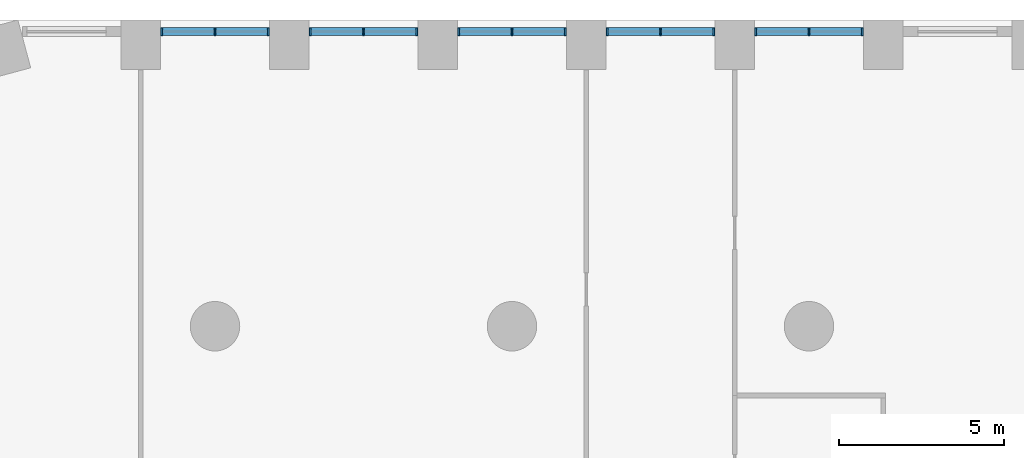
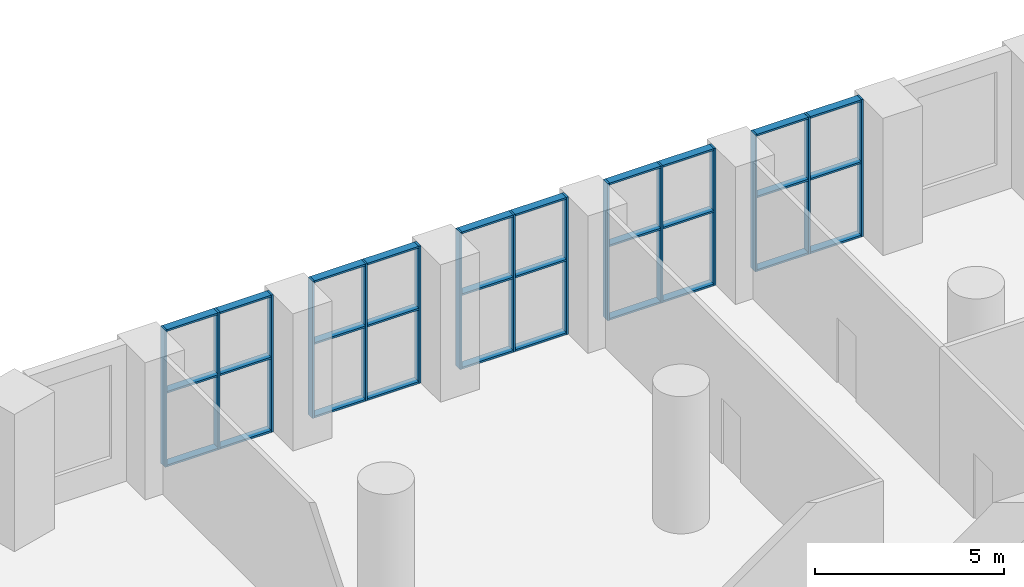
# One storey, part 3 of 13: 45 members, 5 elements without a shape of their own.
"""IFC4 building model written with IfcOpenShell, lengths in metres."""

from ifc_helpers import new_model, si_unit, direction, frame, origin, origin_2d, place, context, subcontext, project, spatial, rectangle, extrude, material, layer, layer_set, material_profile, profile_set, type_object, element, aggregate, save


model = new_model("IFC4")

# Units and contexts
model_context = context("Model", 3, precision=1e-05, world=origin(), true_north=direction((0.0, 1.0)))
body_context = subcontext(model_context, "Body", "Model", "MODEL_VIEW")
ifc_project = project(units=[si_unit("LENGTHUNIT", "METRE"), si_unit("AREAUNIT", "SQUARE_METRE"), si_unit("VOLUMEUNIT", "CUBIC_METRE"), si_unit("PLANEANGLEUNIT", "RADIAN"), si_unit("MASSUNIT", "GRAM", prefix="KILO")], contexts=[model_context])

# Site, building, storey
site_placement = place(None, origin())
site = spatial("IfcSite", under=ifc_project, at=site_placement, CompositionType="ELEMENT")
building_placement = place(site_placement, origin())
building = spatial("IfcBuilding", under=site, at=building_placement, Name="Dhurran Vertical Campus", CompositionType="ELEMENT")
storey_placement = place(building_placement, frame((0.0, 0.0, 25.199951171875)))
storey = spatial("IfcBuildingStorey", under=building, at=storey_placement, Name="L05", CompositionType="ELEMENT", Elevation=25.199951171875)

# Curtain wall, members
ifc_material_1 = material(Name="Aluminium frame with solar-control glass", Category="aluminium")
ifc_layer = layer(ifc_material_1, 0.25)
ifc_layer_set = layer_set([ifc_layer], Name="Aluminium frame with solar-control glass")
curtain_wall_type = type_object("IfcCurtainWallType", Name="Library atrium glazing system", PredefinedType="NOTDEFINED", material=ifc_layer_set)
curtain_wall_1_placement = place(storey_placement, origin())
curtain_wall_1 = element("IfcCurtainWall", 1, at=curtain_wall_1_placement, inside=storey, type_object=curtain_wall_type, Name="CW2 L05.29", PredefinedType="NOTDEFINED")
ifc_material_2 = material(Name="Aluminium mullion", Category="aluminium")
ifc_material_profile_1 = material_profile(ifc_material_2, rectangle(XDim=0.239990234375, YDim=0.06005859375, at=origin_2d()), Name="Library atrium glazing system mullion")
ifc_profile_set_1 = profile_set([ifc_material_profile_1], Name="Aluminium mullion")
member_type_1 = type_object("IfcMemberType", Name="Library atrium glazing system mullion", PredefinedType="MULLION", material=ifc_profile_set_1)
member_1_placement = place(storey_placement, frame((6.119384765625, 31.4296875, 0.0), z_axis=(0.0, 0.0, 1.0), x_axis=(0.0, -1.0, 0.0)))
member_1 = element("IfcMember", 2, at=member_1_placement, type_object=member_type_1, Name="CW2 mullion 1", PredefinedType="MULLION", context=body_context, shape_type="SweptSolid", body=[
    extrude(rectangle(XDim=0.239990234375, YDim=0.06005859375, at=origin_2d()), origin(), (0.0, 0.0, 1.0), 4.425048828125),
])
member_2_placement = place(storey_placement, frame((4.5, 31.4296875, 0.0), z_axis=(0.0, 0.0, 1.0), x_axis=(0.0, -1.0, 0.0)))
member_2 = element("IfcMember", 3, at=member_2_placement, type_object=member_type_1, Name="CW2 mullion 2", PredefinedType="MULLION", context=body_context, shape_type="SweptSolid", body=[
    extrude(rectangle(XDim=0.239990234375, YDim=0.06005859375, at=origin_2d()), origin(), (0.0, 0.0, 1.0), 4.425048828125),
])
member_3_placement = place(storey_placement, frame((2.880615234375, 31.4296875, 0.0), z_axis=(0.0, 0.0, 1.0), x_axis=(0.0, -1.0, 0.0)))
member_3 = element("IfcMember", 4, at=member_3_placement, type_object=member_type_1, Name="CW2 mullion 3", PredefinedType="MULLION", context=body_context, shape_type="SweptSolid", body=[
    extrude(rectangle(XDim=0.239990234375, YDim=0.06005859375, at=origin_2d()), origin(), (0.0, 0.0, 1.0), 4.425048828125),
])

curtain_wall_2_placement = place(storey_placement, origin())
curtain_wall_2 = element("IfcCurtainWall", 5, at=curtain_wall_2_placement, inside=storey, type_object=curtain_wall_type, Name="CW2 L05.30", PredefinedType="NOTDEFINED")
member_4_placement = place(storey_placement, frame((1.619384765625, 31.4296875, 0.0), z_axis=(0.0, 0.0, 1.0), x_axis=(0.0, -1.0, 0.0)))
member_4 = element("IfcMember", 6, at=member_4_placement, type_object=member_type_1, Name="CW2 mullion 1", PredefinedType="MULLION", context=body_context, shape_type="SweptSolid", body=[
    extrude(rectangle(XDim=0.239990234375, YDim=0.06005859375, at=origin_2d()), origin(), (0.0, 0.0, 1.0), 4.425048828125),
])
member_5_placement = place(storey_placement, frame((0.0, 31.4296875, 0.0), z_axis=(0.0, 0.0, 1.0), x_axis=(0.0, -1.0, 0.0)))
member_5 = element("IfcMember", 7, at=member_5_placement, type_object=member_type_1, Name="CW2 mullion 2", PredefinedType="MULLION", context=body_context, shape_type="SweptSolid", body=[
    extrude(rectangle(XDim=0.239990234375, YDim=0.06005859375, at=origin_2d()), origin(), (0.0, 0.0, 1.0), 4.425048828125),
])
member_6_placement = place(storey_placement, frame((-1.619384765625, 31.4296875, 0.0), z_axis=(0.0, 0.0, 1.0), x_axis=(0.0, -1.0, 0.0)))
member_6 = element("IfcMember", 8, at=member_6_placement, type_object=member_type_1, Name="CW2 mullion 3", PredefinedType="MULLION", context=body_context, shape_type="SweptSolid", body=[
    extrude(rectangle(XDim=0.239990234375, YDim=0.06005859375, at=origin_2d()), origin(), (0.0, 0.0, 1.0), 4.425048828125),
])

curtain_wall_3_placement = place(storey_placement, origin())
curtain_wall_3 = element("IfcCurtainWall", 9, at=curtain_wall_3_placement, inside=storey, type_object=curtain_wall_type, Name="CW2 L05.31", PredefinedType="NOTDEFINED")
member_7_placement = place(storey_placement, frame((-2.880615234375, 31.4296875, 0.0), z_axis=(0.0, 0.0, 1.0), x_axis=(0.0, -1.0, 0.0)))
member_7 = element("IfcMember", 10, at=member_7_placement, type_object=member_type_1, Name="CW2 mullion 1", PredefinedType="MULLION", context=body_context, shape_type="SweptSolid", body=[
    extrude(rectangle(XDim=0.239990234375, YDim=0.06005859375, at=origin_2d()), origin(), (0.0, 0.0, 1.0), 4.425048828125),
])
member_8_placement = place(storey_placement, frame((-4.5, 31.4296875, 0.0), z_axis=(0.0, 0.0, 1.0), x_axis=(0.0, -1.0, 0.0)))
member_8 = element("IfcMember", 11, at=member_8_placement, type_object=member_type_1, Name="CW2 mullion 2", PredefinedType="MULLION", context=body_context, shape_type="SweptSolid", body=[
    extrude(rectangle(XDim=0.239990234375, YDim=0.06005859375, at=origin_2d()), origin(), (0.0, 0.0, 1.0), 4.425048828125),
])
member_9_placement = place(storey_placement, frame((-6.119384765625, 31.4296875, 0.0), z_axis=(0.0, 0.0, 1.0), x_axis=(0.0, -1.0, 0.0)))
member_9 = element("IfcMember", 12, at=member_9_placement, type_object=member_type_1, Name="CW2 mullion 3", PredefinedType="MULLION", context=body_context, shape_type="SweptSolid", body=[
    extrude(rectangle(XDim=0.239990234375, YDim=0.06005859375, at=origin_2d()), origin(), (0.0, 0.0, 1.0), 4.425048828125),
])

curtain_wall_4_placement = place(storey_placement, origin())
curtain_wall_4 = element("IfcCurtainWall", 13, at=curtain_wall_4_placement, inside=storey, type_object=curtain_wall_type, Name="CW2 L05.32", PredefinedType="NOTDEFINED")
member_10_placement = place(storey_placement, frame((-7.380615234375, 31.4296875, 0.0), z_axis=(0.0, 0.0, 1.0), x_axis=(0.0, -1.0, 0.0)))
member_10 = element("IfcMember", 14, at=member_10_placement, type_object=member_type_1, Name="CW2 mullion 1", PredefinedType="MULLION", context=body_context, shape_type="SweptSolid", body=[
    extrude(rectangle(XDim=0.239990234375, YDim=0.06005859375, at=origin_2d()), origin(), (0.0, 0.0, 1.0), 4.425048828125),
])
member_11_placement = place(storey_placement, frame((-9.0, 31.4296875, 0.0), z_axis=(0.0, 0.0, 1.0), x_axis=(0.0, -1.0, 0.0)))
member_11 = element("IfcMember", 15, at=member_11_placement, type_object=member_type_1, Name="CW2 mullion 2", PredefinedType="MULLION", context=body_context, shape_type="SweptSolid", body=[
    extrude(rectangle(XDim=0.239990234375, YDim=0.06005859375, at=origin_2d()), origin(), (0.0, 0.0, 1.0), 4.425048828125),
])
member_12_placement = place(storey_placement, frame((-10.619384765625, 31.4296875, 0.0), z_axis=(0.0, 0.0, 1.0), x_axis=(0.0, -1.0, 0.0)))
member_12 = element("IfcMember", 16, at=member_12_placement, type_object=member_type_1, Name="CW2 mullion 3", PredefinedType="MULLION", context=body_context, shape_type="SweptSolid", body=[
    extrude(rectangle(XDim=0.239990234375, YDim=0.06005859375, at=origin_2d()), origin(), (0.0, 0.0, 1.0), 4.425048828125),
])

curtain_wall_5_placement = place(storey_placement, origin())
curtain_wall_5 = element("IfcCurtainWall", 17, at=curtain_wall_5_placement, inside=storey, type_object=curtain_wall_type, Name="CW2 L05.33", PredefinedType="NOTDEFINED")
member_13_placement = place(storey_placement, frame((-11.880615234375, 31.4296875, 0.0), z_axis=(0.0, 0.0, 1.0), x_axis=(0.0, -1.0, 0.0)))
member_13 = element("IfcMember", 18, at=member_13_placement, type_object=member_type_1, Name="CW2 mullion 1", PredefinedType="MULLION", context=body_context, shape_type="SweptSolid", body=[
    extrude(rectangle(XDim=0.239990234375, YDim=0.06005859375, at=origin_2d()), origin(), (0.0, 0.0, 1.0), 4.425048828125),
])
member_14_placement = place(storey_placement, frame((-13.5, 31.4296875, 0.0), z_axis=(0.0, 0.0, 1.0), x_axis=(0.0, -1.0, 0.0)))
member_14 = element("IfcMember", 19, at=member_14_placement, type_object=member_type_1, Name="CW2 mullion 2", PredefinedType="MULLION", context=body_context, shape_type="SweptSolid", body=[
    extrude(rectangle(XDim=0.239990234375, YDim=0.06005859375, at=origin_2d()), origin(), (0.0, 0.0, 1.0), 4.425048828125),
])
member_15_placement = place(storey_placement, frame((-15.119384765625, 31.4296875, 0.0), z_axis=(0.0, 0.0, 1.0), x_axis=(0.0, -1.0, 0.0)))
member_15 = element("IfcMember", 20, at=member_15_placement, type_object=member_type_1, Name="CW2 mullion 3", PredefinedType="MULLION", context=body_context, shape_type="SweptSolid", body=[
    extrude(rectangle(XDim=0.239990234375, YDim=0.06005859375, at=origin_2d()), origin(), (0.0, 0.0, 1.0), 4.425048828125),
])

# Member
ifc_material_3 = material(Name="Aluminium transom", Category="aluminium")
ifc_material_profile_2 = material_profile(ifc_material_3, rectangle(XDim=0.239990234375, YDim=0.06005859375, at=origin_2d()), Name="Library atrium glazing system transom")
ifc_profile_set_2 = profile_set([ifc_material_profile_2], Name="Aluminium transom")
member_type_2 = type_object("IfcMemberType", Name="Library atrium glazing system transom", PredefinedType="USERDEFINED", material=ifc_profile_set_2)
member_16_placement = place(storey_placement, frame((6.089599609375, 31.4296875, 0.030029296875), z_axis=(-1.0, 0.0, 0.0), x_axis=(0.0, -1.0, 0.0)))
member_16 = element("IfcMember", 21, at=member_16_placement, type_object=member_type_2, Name="CW2 transom 1.1", ObjectType="TRANSOM", PredefinedType="USERDEFINED", context=body_context, shape_type="SweptSolid", body=[
    extrude(rectangle(XDim=0.239990234375, YDim=0.06005859375, at=origin_2d()), origin(), (0.0, 0.0, 1.0), 1.5595703125),
])

member_17_placement = place(storey_placement, frame((6.089599609375, 31.4296875, 2.400146484375), z_axis=(-1.0, 0.0, 0.0), x_axis=(0.0, -1.0, 0.0)))
member_17 = element("IfcMember", 22, at=member_17_placement, type_object=member_type_2, Name="CW2 transom 1.2", ObjectType="TRANSOM", PredefinedType="USERDEFINED", context=body_context, shape_type="SweptSolid", body=[
    extrude(rectangle(XDim=0.239990234375, YDim=0.06005859375, at=origin_2d()), origin(), (0.0, 0.0, 1.0), 1.5595703125),
])

member_18_placement = place(storey_placement, frame((6.089599609375, 31.4296875, 4.39501953125), z_axis=(-1.0, 0.0, 0.0), x_axis=(0.0, -1.0, 0.0)))
member_18 = element("IfcMember", 23, at=member_18_placement, type_object=member_type_2, Name="CW2 transom 1.3", ObjectType="TRANSOM", PredefinedType="USERDEFINED", context=body_context, shape_type="SweptSolid", body=[
    extrude(rectangle(XDim=0.239990234375, YDim=0.06005859375, at=origin_2d()), origin(), (0.0, 0.0, 1.0), 1.5595703125),
])

member_19_placement = place(storey_placement, frame((4.469970703125, 31.4296875, 0.030029296875), z_axis=(-1.0, 0.0, 0.0), x_axis=(0.0, -1.0, 0.0)))
member_19 = element("IfcMember", 24, at=member_19_placement, type_object=member_type_2, Name="CW2 transom 2.1", ObjectType="TRANSOM", PredefinedType="USERDEFINED", context=body_context, shape_type="SweptSolid", body=[
    extrude(rectangle(XDim=0.239990234375, YDim=0.06005859375, at=origin_2d()), origin(), (0.0, 0.0, 1.0), 1.5595703125),
])

member_20_placement = place(storey_placement, frame((4.469970703125, 31.4296875, 2.400146484375), z_axis=(-1.0, 0.0, 0.0), x_axis=(0.0, -1.0, 0.0)))
member_20 = element("IfcMember", 25, at=member_20_placement, type_object=member_type_2, Name="CW2 transom 2.2", ObjectType="TRANSOM", PredefinedType="USERDEFINED", context=body_context, shape_type="SweptSolid", body=[
    extrude(rectangle(XDim=0.239990234375, YDim=0.06005859375, at=origin_2d()), origin(), (0.0, 0.0, 1.0), 1.5595703125),
])

member_21_placement = place(storey_placement, frame((4.469970703125, 31.4296875, 4.39501953125), z_axis=(-1.0, 0.0, 0.0), x_axis=(0.0, -1.0, 0.0)))
member_21 = element("IfcMember", 26, at=member_21_placement, type_object=member_type_2, Name="CW2 transom 2.3", ObjectType="TRANSOM", PredefinedType="USERDEFINED", context=body_context, shape_type="SweptSolid", body=[
    extrude(rectangle(XDim=0.239990234375, YDim=0.06005859375, at=origin_2d()), origin(), (0.0, 0.0, 1.0), 1.5595703125),
])

aggregate(curtain_wall_1, [member_1, member_2, member_3, member_16, member_17, member_18, member_19, member_20, member_21])

member_22_placement = place(storey_placement, frame((1.589599609375, 31.4296875, 0.030029296875), z_axis=(-1.0, 0.0, 0.0), x_axis=(0.0, -1.0, 0.0)))
member_22 = element("IfcMember", 27, at=member_22_placement, type_object=member_type_2, Name="CW2 transom 1.1", ObjectType="TRANSOM", PredefinedType="USERDEFINED", context=body_context, shape_type="SweptSolid", body=[
    extrude(rectangle(XDim=0.239990234375, YDim=0.06005859375, at=origin_2d()), origin(), (0.0, 0.0, 1.0), 1.5595703125),
])

member_23_placement = place(storey_placement, frame((1.589599609375, 31.4296875, 2.400146484375), z_axis=(-1.0, 0.0, 0.0), x_axis=(0.0, -1.0, 0.0)))
member_23 = element("IfcMember", 28, at=member_23_placement, type_object=member_type_2, Name="CW2 transom 1.2", ObjectType="TRANSOM", PredefinedType="USERDEFINED", context=body_context, shape_type="SweptSolid", body=[
    extrude(rectangle(XDim=0.239990234375, YDim=0.06005859375, at=origin_2d()), origin(), (0.0, 0.0, 1.0), 1.5595703125),
])

member_24_placement = place(storey_placement, frame((1.589599609375, 31.4296875, 4.39501953125), z_axis=(-1.0, 0.0, 0.0), x_axis=(0.0, -1.0, 0.0)))
member_24 = element("IfcMember", 29, at=member_24_placement, type_object=member_type_2, Name="CW2 transom 1.3", ObjectType="TRANSOM", PredefinedType="USERDEFINED", context=body_context, shape_type="SweptSolid", body=[
    extrude(rectangle(XDim=0.239990234375, YDim=0.06005859375, at=origin_2d()), origin(), (0.0, 0.0, 1.0), 1.5595703125),
])

member_25_placement = place(storey_placement, frame((-0.030029296875, 31.4296875, 0.030029296875), z_axis=(-1.0, 0.0, 0.0), x_axis=(0.0, -1.0, 0.0)))
member_25 = element("IfcMember", 30, at=member_25_placement, type_object=member_type_2, Name="CW2 transom 2.1", ObjectType="TRANSOM", PredefinedType="USERDEFINED", context=body_context, shape_type="SweptSolid", body=[
    extrude(rectangle(XDim=0.239990234375, YDim=0.06005859375, at=origin_2d()), origin(), (0.0, 0.0, 1.0), 1.5595703125),
])

member_26_placement = place(storey_placement, frame((-0.030029296875, 31.4296875, 2.400146484375), z_axis=(-1.0, 0.0, 0.0), x_axis=(0.0, -1.0, 0.0)))
member_26 = element("IfcMember", 31, at=member_26_placement, type_object=member_type_2, Name="CW2 transom 2.2", ObjectType="TRANSOM", PredefinedType="USERDEFINED", context=body_context, shape_type="SweptSolid", body=[
    extrude(rectangle(XDim=0.239990234375, YDim=0.06005859375, at=origin_2d()), origin(), (0.0, 0.0, 1.0), 1.5595703125),
])

member_27_placement = place(storey_placement, frame((-0.030029296875, 31.4296875, 4.39501953125), z_axis=(-1.0, 0.0, 0.0), x_axis=(0.0, -1.0, 0.0)))
member_27 = element("IfcMember", 32, at=member_27_placement, type_object=member_type_2, Name="CW2 transom 2.3", ObjectType="TRANSOM", PredefinedType="USERDEFINED", context=body_context, shape_type="SweptSolid", body=[
    extrude(rectangle(XDim=0.239990234375, YDim=0.06005859375, at=origin_2d()), origin(), (0.0, 0.0, 1.0), 1.5595703125),
])

aggregate(curtain_wall_2, [member_4, member_5, member_6, member_22, member_23, member_24, member_25, member_26, member_27])

member_28_placement = place(storey_placement, frame((-2.910400390625, 31.4296875, 0.030029296875), z_axis=(-1.0, 0.0, 0.0), x_axis=(0.0, -1.0, 0.0)))
member_28 = element("IfcMember", 33, at=member_28_placement, type_object=member_type_2, Name="CW2 transom 1.1", ObjectType="TRANSOM", PredefinedType="USERDEFINED", context=body_context, shape_type="SweptSolid", body=[
    extrude(rectangle(XDim=0.239990234375, YDim=0.06005859375, at=origin_2d()), origin(), (0.0, 0.0, 1.0), 1.5595703125),
])

member_29_placement = place(storey_placement, frame((-2.910400390625, 31.4296875, 2.400146484375), z_axis=(-1.0, 0.0, 0.0), x_axis=(0.0, -1.0, 0.0)))
member_29 = element("IfcMember", 34, at=member_29_placement, type_object=member_type_2, Name="CW2 transom 1.2", ObjectType="TRANSOM", PredefinedType="USERDEFINED", context=body_context, shape_type="SweptSolid", body=[
    extrude(rectangle(XDim=0.239990234375, YDim=0.06005859375, at=origin_2d()), origin(), (0.0, 0.0, 1.0), 1.5595703125),
])

member_30_placement = place(storey_placement, frame((-2.910400390625, 31.4296875, 4.39501953125), z_axis=(-1.0, 0.0, 0.0), x_axis=(0.0, -1.0, 0.0)))
member_30 = element("IfcMember", 35, at=member_30_placement, type_object=member_type_2, Name="CW2 transom 1.3", ObjectType="TRANSOM", PredefinedType="USERDEFINED", context=body_context, shape_type="SweptSolid", body=[
    extrude(rectangle(XDim=0.239990234375, YDim=0.06005859375, at=origin_2d()), origin(), (0.0, 0.0, 1.0), 1.5595703125),
])

member_31_placement = place(storey_placement, frame((-4.530029296875, 31.4296875, 0.030029296875), z_axis=(-1.0, 0.0, 0.0), x_axis=(0.0, -1.0, 0.0)))
member_31 = element("IfcMember", 36, at=member_31_placement, type_object=member_type_2, Name="CW2 transom 2.1", ObjectType="TRANSOM", PredefinedType="USERDEFINED", context=body_context, shape_type="SweptSolid", body=[
    extrude(rectangle(XDim=0.239990234375, YDim=0.06005859375, at=origin_2d()), origin(), (0.0, 0.0, 1.0), 1.5595703125),
])

member_32_placement = place(storey_placement, frame((-4.530029296875, 31.4296875, 2.400146484375), z_axis=(-1.0, 0.0, 0.0), x_axis=(0.0, -1.0, 0.0)))
member_32 = element("IfcMember", 37, at=member_32_placement, type_object=member_type_2, Name="CW2 transom 2.2", ObjectType="TRANSOM", PredefinedType="USERDEFINED", context=body_context, shape_type="SweptSolid", body=[
    extrude(rectangle(XDim=0.239990234375, YDim=0.06005859375, at=origin_2d()), origin(), (0.0, 0.0, 1.0), 1.5595703125),
])

member_33_placement = place(storey_placement, frame((-4.530029296875, 31.4296875, 4.39501953125), z_axis=(-1.0, 0.0, 0.0), x_axis=(0.0, -1.0, 0.0)))
member_33 = element("IfcMember", 38, at=member_33_placement, type_object=member_type_2, Name="CW2 transom 2.3", ObjectType="TRANSOM", PredefinedType="USERDEFINED", context=body_context, shape_type="SweptSolid", body=[
    extrude(rectangle(XDim=0.239990234375, YDim=0.06005859375, at=origin_2d()), origin(), (0.0, 0.0, 1.0), 1.5595703125),
])

aggregate(curtain_wall_3, [member_7, member_8, member_9, member_28, member_29, member_30, member_31, member_32, member_33])

member_34_placement = place(storey_placement, frame((-7.410400390625, 31.4296875, 0.030029296875), z_axis=(-1.0, 0.0, 0.0), x_axis=(0.0, -1.0, 0.0)))
member_34 = element("IfcMember", 39, at=member_34_placement, type_object=member_type_2, Name="CW2 transom 1.1", ObjectType="TRANSOM", PredefinedType="USERDEFINED", context=body_context, shape_type="SweptSolid", body=[
    extrude(rectangle(XDim=0.239990234375, YDim=0.06005859375, at=origin_2d()), origin(), (0.0, 0.0, 1.0), 1.5595703125),
])

member_35_placement = place(storey_placement, frame((-7.410400390625, 31.4296875, 2.400146484375), z_axis=(-1.0, 0.0, 0.0), x_axis=(0.0, -1.0, 0.0)))
member_35 = element("IfcMember", 40, at=member_35_placement, type_object=member_type_2, Name="CW2 transom 1.2", ObjectType="TRANSOM", PredefinedType="USERDEFINED", context=body_context, shape_type="SweptSolid", body=[
    extrude(rectangle(XDim=0.239990234375, YDim=0.06005859375, at=origin_2d()), origin(), (0.0, 0.0, 1.0), 1.5595703125),
])

member_36_placement = place(storey_placement, frame((-7.410400390625, 31.4296875, 4.39501953125), z_axis=(-1.0, 0.0, 0.0), x_axis=(0.0, -1.0, 0.0)))
member_36 = element("IfcMember", 41, at=member_36_placement, type_object=member_type_2, Name="CW2 transom 1.3", ObjectType="TRANSOM", PredefinedType="USERDEFINED", context=body_context, shape_type="SweptSolid", body=[
    extrude(rectangle(XDim=0.239990234375, YDim=0.06005859375, at=origin_2d()), origin(), (0.0, 0.0, 1.0), 1.5595703125),
])

member_37_placement = place(storey_placement, frame((-9.030029296875, 31.4296875, 0.030029296875), z_axis=(-1.0, 0.0, 0.0), x_axis=(0.0, -1.0, 0.0)))
member_37 = element("IfcMember", 42, at=member_37_placement, type_object=member_type_2, Name="CW2 transom 2.1", ObjectType="TRANSOM", PredefinedType="USERDEFINED", context=body_context, shape_type="SweptSolid", body=[
    extrude(rectangle(XDim=0.239990234375, YDim=0.06005859375, at=origin_2d()), origin(), (0.0, 0.0, 1.0), 1.5595703125),
])

member_38_placement = place(storey_placement, frame((-9.030029296875, 31.4296875, 2.400146484375), z_axis=(-1.0, 0.0, 0.0), x_axis=(0.0, -1.0, 0.0)))
member_38 = element("IfcMember", 43, at=member_38_placement, type_object=member_type_2, Name="CW2 transom 2.2", ObjectType="TRANSOM", PredefinedType="USERDEFINED", context=body_context, shape_type="SweptSolid", body=[
    extrude(rectangle(XDim=0.239990234375, YDim=0.06005859375, at=origin_2d()), origin(), (0.0, 0.0, 1.0), 1.5595703125),
])

member_39_placement = place(storey_placement, frame((-9.030029296875, 31.4296875, 4.39501953125), z_axis=(-1.0, 0.0, 0.0), x_axis=(0.0, -1.0, 0.0)))
member_39 = element("IfcMember", 44, at=member_39_placement, type_object=member_type_2, Name="CW2 transom 2.3", ObjectType="TRANSOM", PredefinedType="USERDEFINED", context=body_context, shape_type="SweptSolid", body=[
    extrude(rectangle(XDim=0.239990234375, YDim=0.06005859375, at=origin_2d()), origin(), (0.0, 0.0, 1.0), 1.5595703125),
])

aggregate(curtain_wall_4, [member_10, member_11, member_12, member_34, member_35, member_36, member_37, member_38, member_39])

member_40_placement = place(storey_placement, frame((-11.910400390625, 31.4296875, 0.030029296875), z_axis=(-1.0, 0.0, 0.0), x_axis=(0.0, -1.0, 0.0)))
member_40 = element("IfcMember", 45, at=member_40_placement, type_object=member_type_2, Name="CW2 transom 1.1", ObjectType="TRANSOM", PredefinedType="USERDEFINED", context=body_context, shape_type="SweptSolid", body=[
    extrude(rectangle(XDim=0.239990234375, YDim=0.06005859375, at=origin_2d()), origin(), (0.0, 0.0, 1.0), 1.5595703125),
])

member_41_placement = place(storey_placement, frame((-11.910400390625, 31.4296875, 2.400146484375), z_axis=(-1.0, 0.0, 0.0), x_axis=(0.0, -1.0, 0.0)))
member_41 = element("IfcMember", 46, at=member_41_placement, type_object=member_type_2, Name="CW2 transom 1.2", ObjectType="TRANSOM", PredefinedType="USERDEFINED", context=body_context, shape_type="SweptSolid", body=[
    extrude(rectangle(XDim=0.239990234375, YDim=0.06005859375, at=origin_2d()), origin(), (0.0, 0.0, 1.0), 1.5595703125),
])

member_42_placement = place(storey_placement, frame((-11.910400390625, 31.4296875, 4.39501953125), z_axis=(-1.0, 0.0, 0.0), x_axis=(0.0, -1.0, 0.0)))
member_42 = element("IfcMember", 47, at=member_42_placement, type_object=member_type_2, Name="CW2 transom 1.3", ObjectType="TRANSOM", PredefinedType="USERDEFINED", context=body_context, shape_type="SweptSolid", body=[
    extrude(rectangle(XDim=0.239990234375, YDim=0.06005859375, at=origin_2d()), origin(), (0.0, 0.0, 1.0), 1.5595703125),
])

member_43_placement = place(storey_placement, frame((-13.530029296875, 31.4296875, 0.030029296875), z_axis=(-1.0, 0.0, 0.0), x_axis=(0.0, -1.0, 0.0)))
member_43 = element("IfcMember", 48, at=member_43_placement, type_object=member_type_2, Name="CW2 transom 2.1", ObjectType="TRANSOM", PredefinedType="USERDEFINED", context=body_context, shape_type="SweptSolid", body=[
    extrude(rectangle(XDim=0.239990234375, YDim=0.06005859375, at=origin_2d()), origin(), (0.0, 0.0, 1.0), 1.5595703125),
])

member_44_placement = place(storey_placement, frame((-13.530029296875, 31.4296875, 2.400146484375), z_axis=(-1.0, 0.0, 0.0), x_axis=(0.0, -1.0, 0.0)))
member_44 = element("IfcMember", 49, at=member_44_placement, type_object=member_type_2, Name="CW2 transom 2.2", ObjectType="TRANSOM", PredefinedType="USERDEFINED", context=body_context, shape_type="SweptSolid", body=[
    extrude(rectangle(XDim=0.239990234375, YDim=0.06005859375, at=origin_2d()), origin(), (0.0, 0.0, 1.0), 1.5595703125),
])

member_45_placement = place(storey_placement, frame((-13.530029296875, 31.4296875, 4.39501953125), z_axis=(-1.0, 0.0, 0.0), x_axis=(0.0, -1.0, 0.0)))
member_45 = element("IfcMember", 50, at=member_45_placement, type_object=member_type_2, Name="CW2 transom 2.3", ObjectType="TRANSOM", PredefinedType="USERDEFINED", context=body_context, shape_type="SweptSolid", body=[
    extrude(rectangle(XDim=0.239990234375, YDim=0.06005859375, at=origin_2d()), origin(), (0.0, 0.0, 1.0), 1.5595703125),
])

aggregate(curtain_wall_5, [member_13, member_14, member_15, member_40, member_41, member_42, member_43, member_44, member_45])

save(model, "model.ifc")
